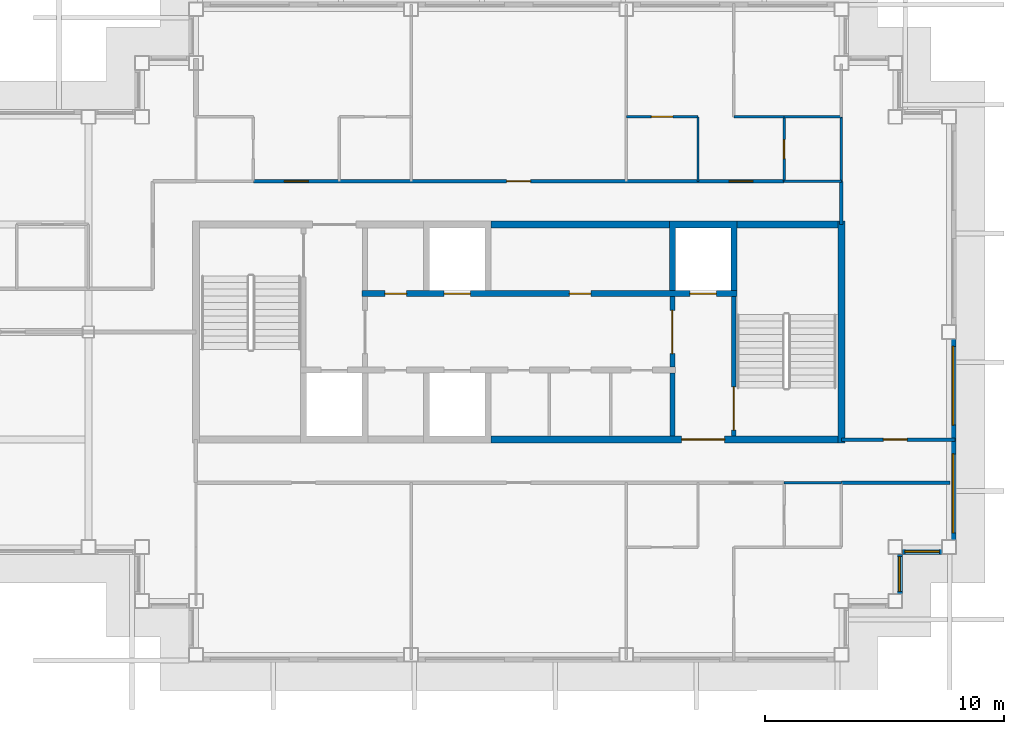
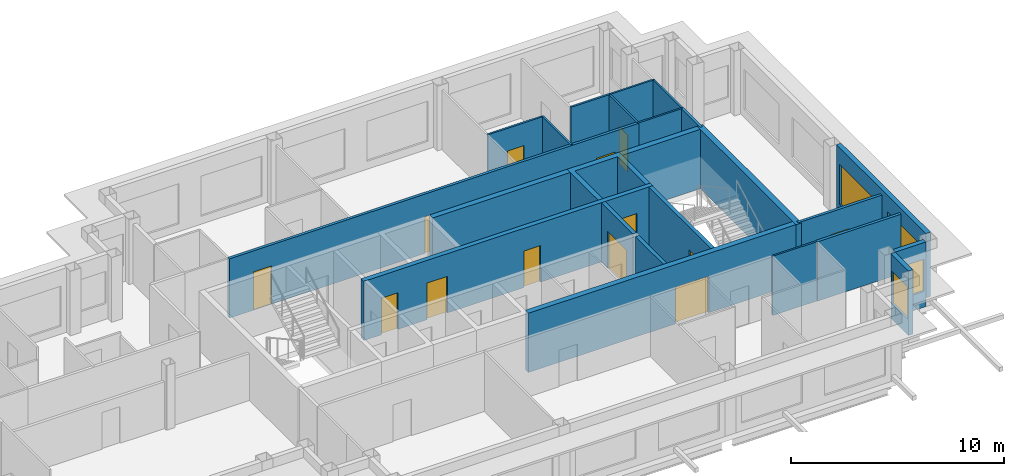
# One storey, part 5 of 11: 24 walls, 13 doors, 4 windows, 17 openings.
"""IFC4 building model written with IfcOpenShell, lengths in metres."""

from ifc_helpers import new_model, si_unit, direction, frame, frame_2d, origin, place, context, subcontext, project, spatial, polyline, rectangle, outline, extrude, material, layer, layer_set, type_object, element, fill, save


model = new_model("IFC4")

# Units and contexts
model_context = context("Model", 3, precision=1e-05, world=origin(), true_north=direction((0.0, 1.0)))
body_context = subcontext(model_context, "Body", "Model", "MODEL_VIEW")
ifc_project = project(units=[si_unit("LENGTHUNIT", "METRE"), si_unit("AREAUNIT", "SQUARE_METRE"), si_unit("VOLUMEUNIT", "CUBIC_METRE"), si_unit("PLANEANGLEUNIT", "RADIAN"), si_unit("MASSUNIT", "GRAM", prefix="KILO")], contexts=[model_context])

# Site, building, storey
site_placement = place(None, origin())
site = spatial("IfcSite", under=ifc_project, at=site_placement, CompositionType="ELEMENT")
building_placement = place(site_placement, origin())
building = spatial("IfcBuilding", under=site, at=building_placement, Name="Caravel Reach Hotel and Residences", CompositionType="ELEMENT")
storey_placement = place(building_placement, frame((0.0, 0.0, 263.800048828125)))
storey = spatial("IfcBuildingStorey", under=building, at=storey_placement, Name="L67", CompositionType="ELEMENT", Elevation=263.800048828125)

# Walls
ifc_material_1 = material(Name="Gypsum board on steel stud", Category="steel")
ifc_layer_1 = layer(ifc_material_1, 0.10009765625)
ifc_layer_set_1 = layer_set([ifc_layer_1], Name="Bathroom pod wall 100 mm")
wall_type_1 = type_object("IfcWallType", Name="Bathroom pod wall 100 mm", PredefinedType="PARTITIONING", material=ifc_layer_set_1)
for number, where, z_axis, x_axis, name in (
    (1, (42.60009765625, 20.699951171875, 0.0), (0.0, 0.0, 1.0), (1.0, 0.0, 0.0), "L67 wall w051"),
    (2, (42.60009765625, 33.300048828125, 0.0), (0.0, 0.0, 1.0), (1.0, 0.0, 0.0), "L67 wall w055"),
    (3, (42.60009765625, 36.0, 0.0), (0.0, 0.0, 1.0), (1.0, 0.0, 0.0), "L67 wall w057"),
):
    element("IfcWall", number, at=place(storey_placement, frame(where, z_axis=z_axis, x_axis=x_axis)), inside=storey, type_object=wall_type_1, Name=name, PredefinedType="PARTITIONING", context=body_context, shape_type="SweptSolid", body=[
        extrude(rectangle(XDim=2.39990234375, YDim=0.10009765625, at=frame_2d((1.199951171875, 0.0))), origin(), (0.0, 0.0, 1.0), 3.39990234375),
    ])

# Wall, opening, door
wall_1_placement = place(storey_placement, frame((42.60009765625, 33.300048828125, 0.0), z_axis=(0.0, 0.0, 1.0), x_axis=(0.0, 1.0, 0.0)))
wall_1 = element("IfcWall", 4, at=wall_1_placement, inside=storey, type_object=wall_type_1, Name="L67 wall w061", PredefinedType="PARTITIONING", context=body_context, shape_type="SweptSolid", body=[
    extrude(rectangle(XDim=2.699951171875, YDim=0.10009765625, at=frame_2d((1.35009765625, 0.0))), origin(), (0.0, 0.0, 1.0), 3.39990234375),
])
opening_1_placement = place(wall_1_placement, frame((0.949951171875, 0.0, 0.0)))
opening_1 = element("IfcOpeningElement", 5, at=opening_1_placement, cuts=wall_1, Name="Opening D67-023", PredefinedType="OPENING", context=body_context, shape_type="SweptSolid", body=[
    extrude(rectangle(XDim=0.800048828125, YDim=2.10009765625, at=frame_2d((0.39990234375, 1.050048828125))), frame((0.0, 0.06005859375, 0.0), z_axis=(0.0, -1.0, 0.0), x_axis=(1.0, 0.0, 0.0)), (0.0, 0.0, 1.0), 0.1201171875),
])
ifc_material_2 = material(Name="Timber and steel door leaf", Category="steel")
door_type_1 = type_object("IfcDoorType", Name="Bathroom door 800 x 2100", OperationType="SINGLE_SWING_LEFT", PredefinedType="DOOR", material=ifc_material_2)
door_1_placement = place(opening_1_placement, origin())
door_1 = element("IfcDoor", 6, at=door_1_placement, inside=storey, type_object=door_type_1, Name="door D67-023", OperationType="SINGLE_SWING_LEFT", OverallHeight=2.10009765625, OverallWidth=0.800048828125, PredefinedType="DOOR", context=body_context, shape_type="SweptSolid", body=[
    extrude(rectangle(XDim=0.800048828125, YDim=2.10009765625, at=frame_2d((0.39990234375, 1.050048828125))), frame((0.0, 0.02490234375, 0.0), z_axis=(0.0, -1.0, 0.0), x_axis=(1.0, 0.0, 0.0)), (0.0, 0.0, 1.0), 0.050048828125),
])
fill(opening_1, door_1)

# Walls
wall_2_placement = place(storey_placement, frame((45.0, 33.300048828125, 0.0), z_axis=(0.0, 0.0, 1.0), x_axis=(0.0, 1.0, 0.0)))
element("IfcWall", 7, at=wall_2_placement, inside=storey, type_object=wall_type_1, Name="L67 wall w063", PredefinedType="PARTITIONING", context=body_context, shape_type="SweptSolid", body=[
    extrude(rectangle(XDim=2.699951171875, YDim=0.10009765625, at=frame_2d((1.35009765625, 0.0))), origin(), (0.0, 0.0, 1.0), 3.39990234375),
])
ifc_material_3 = material(Name="Autoclaved aerated block wall")
ifc_layer_2 = layer(ifc_material_3, 0.199951171875)
ifc_layer_set_2 = layer_set([ifc_layer_2], Name="Compartment wall 200 mm EI 120")
wall_type_2 = type_object("IfcWallType", Name="Compartment wall 200 mm EI 120", PredefinedType="PARTITIONING", material=ifc_layer_set_2)
wall_3_placement = place(storey_placement, frame((37.928466796875, 22.64990234375, 0.0), z_axis=(0.0, 0.0, 1.0), x_axis=(0.0, 1.0, 0.0)))
element("IfcWall", 8, at=wall_3_placement, inside=storey, type_object=wall_type_2, Name="L67 store partition", PredefinedType="PARTITIONING", context=body_context, shape_type="SweptSolid", body=[
    extrude(rectangle(XDim=2.625, YDim=0.199951171875, at=frame_2d((1.3125, 0.0))), origin(), (0.0, 0.0, 1.0), 3.39990234375),
])

# Wall, opening, door
ifc_material_4 = material(Name="Concrete C60", Category="concrete")
ifc_layer_3 = layer(ifc_material_4, 0.300048828125)
ifc_layer_set_3 = layer_set([ifc_layer_3], Name="Core wall 300 mm EI 120")
wall_type_3 = type_object("IfcWallType", Name="Core wall 300 mm EI 120", PredefinedType="SHEAR", material=ifc_layer_set_3)
wall_4_placement = place(storey_placement, frame((30.33935546875, 22.5, 0.0), z_axis=(0.0, 0.0, 1.0), x_axis=(1.0, 0.0, 0.0)))
wall_4 = element("IfcWall", 9, at=wall_4_placement, inside=storey, type_object=wall_type_3, Name="L67 core wall S3", PredefinedType="SHEAR", context=body_context, shape_type="SweptSolid", body=[
    extrude(rectangle(XDim=14.5107421875, YDim=0.300048828125, at=frame_2d((7.25537109375, 0.0))), origin(), (0.0, 0.0, 1.0), 3.39990234375),
])
opening_2_placement = place(wall_4_placement, frame((7.97509765625, 0.0, 0.0)))
opening_2 = element("IfcOpeningElement", 10, at=opening_2_placement, cuts=wall_4, Name="Opening D67-016", PredefinedType="OPENING", context=body_context, shape_type="SweptSolid", body=[
    extrude(rectangle(XDim=1.800048828125, YDim=2.10009765625, at=frame_2d((0.89990234375, 1.050048828125))), frame((0.0, 0.159912109375, 0.0), z_axis=(0.0, -1.0, 0.0), x_axis=(1.0, 0.0, 0.0)), (0.0, 0.0, 1.0), 0.320068359375),
])
ifc_material_5 = material(Name="Steel fire door leaf", Category="steel")
door_type_2 = type_object("IfcDoorType", Name="Fire lobby door pair 1800 x 2100 EI 90", OperationType="DOUBLE_DOOR_SINGLE_SWING", PredefinedType="DOOR", material=ifc_material_5)
door_2_placement = place(opening_2_placement, origin())
door_2 = element("IfcDoor", 11, at=door_2_placement, inside=storey, type_object=door_type_2, Name="lobby S door pair to corridor", OperationType="DOUBLE_DOOR_SINGLE_SWING", OverallHeight=2.10009765625, OverallWidth=1.800048828125, PredefinedType="DOOR", context=body_context, shape_type="SweptSolid", body=[
    extrude(rectangle(XDim=1.800048828125, YDim=2.10009765625, at=frame_2d((0.89990234375, 1.050048828125))), frame((0.0, 0.02490234375, 0.0), z_axis=(0.0, -1.0, 0.0), x_axis=(1.0, 0.0, 0.0)), (0.0, 0.0, 1.0), 0.050048828125),
])
fill(opening_2, door_2)

# Walls
wall_5_placement = place(storey_placement, frame((30.33935546875, 31.5, 0.0), z_axis=(0.0, 0.0, 1.0), x_axis=(1.0, 0.0, 0.0)))
element("IfcWall", 12, at=wall_5_placement, inside=storey, type_object=wall_type_3, Name="L67 core wall N2", PredefinedType="SHEAR", context=body_context, shape_type="SweptSolid", body=[
    extrude(rectangle(XDim=7.464111328125, YDim=0.300048828125, at=frame_2d((3.73193359375, 0.0))), origin(), (0.0, 0.0, 1.0), 3.39990234375),
])
wall_6_placement = place(storey_placement, frame((40.625, 31.5, 0.0), z_axis=(0.0, 0.0, 1.0), x_axis=(1.0, 0.0, 0.0)))
element("IfcWall", 13, at=wall_6_placement, inside=storey, type_object=wall_type_3, Name="L67 core wall N3", PredefinedType="SHEAR", context=body_context, shape_type="SweptSolid", body=[
    extrude(rectangle(XDim=4.22509765625, YDim=0.300048828125, at=frame_2d((2.112548828125, 0.0))), origin(), (0.0, 0.0, 1.0), 3.39990234375),
])
wall_7_placement = place(storey_placement, frame((45.0, 22.35009765625, 0.0), z_axis=(0.0, 0.0, 1.0), x_axis=(0.0, 1.0, 0.0)))
element("IfcWall", 14, at=wall_7_placement, inside=storey, type_object=wall_type_3, Name="L67 core wall E", PredefinedType="SHEAR", context=body_context, shape_type="SweptSolid", body=[
    extrude(rectangle(XDim=9.2998046875, YDim=0.300048828125, at=frame_2d((4.64990234375, 0.0))), origin(), (0.0, 0.0, 1.0), 3.39990234375),
])
ifc_material_6 = material(Name="Gypsum board on steel stud, fire-rated", Category="steel")
ifc_layer_4 = layer(ifc_material_6, 0.14990234375)
ifc_layer_set_4 = layer_set([ifc_layer_4], Name="Corridor wall 150 mm EI 60")
wall_type_4 = type_object("IfcWallType", Name="Corridor wall 150 mm EI 60", PredefinedType="PARTITIONING", material=ifc_layer_set_4)
wall_8_placement = place(storey_placement, frame((45.0009765625, 20.699951171875, 0.0), z_axis=(0.0, 0.0, 1.0), x_axis=(1.0, 0.0, 0.0)))
element("IfcWall", 15, at=wall_8_placement, inside=storey, type_object=wall_type_4, Name="L67 wall w003", PredefinedType="PARTITIONING", context=body_context, shape_type="SweptSolid", body=[
    extrude(rectangle(XDim=4.549072265625, YDim=0.14990234375, at=frame_2d((2.2744140625, 0.0))), origin(), (0.0, 0.0, 1.0), 3.39990234375),
])

# Wall, opening, door
wall_9_placement = place(storey_placement, frame((45.0, 22.5, 0.0), z_axis=(0.0, 0.0, 1.0), x_axis=(1.0, 0.0, 0.0)))
wall_9 = element("IfcWall", 16, at=wall_9_placement, inside=storey, type_object=wall_type_4, Name="L67 wall w006", PredefinedType="PARTITIONING", context=body_context, shape_type="SweptSolid", body=[
    extrude(rectangle(XDim=4.739990234375, YDim=0.14990234375, at=frame_2d((2.3701171875, 0.0))), origin(), (0.0, 0.0, 1.0), 3.39990234375),
])
opening_3_placement = place(wall_9_placement, frame((1.75, 0.0, 0.0)))
opening_3 = element("IfcOpeningElement", 17, at=opening_3_placement, cuts=wall_9, Name="Opening D67-037", PredefinedType="OPENING", context=body_context, shape_type="SweptSolid", body=[
    extrude(rectangle(XDim=1.0, YDim=2.10009765625, at=frame_2d((0.5, 1.050048828125))), frame((0.0, 0.0849609375, 0.0), z_axis=(0.0, -1.0, 0.0), x_axis=(1.0, 0.0, 0.0)), (0.0, 0.0, 1.0), 0.169921875),
])
ifc_material_7 = material(Name="Steel fire door leaf", Category="steel")
door_type_3 = type_object("IfcDoorType", Name="Fire door 1000 x 2100 EI 60", OperationType="SINGLE_SWING_LEFT", PredefinedType="DOOR", material=ifc_material_7)
door_3_placement = place(opening_3_placement, origin())
door_3 = element("IfcDoor", 18, at=door_3_placement, inside=storey, type_object=door_type_3, Name="door D67-037", OperationType="SINGLE_SWING_RIGHT", OverallHeight=2.10009765625, OverallWidth=1.0, PredefinedType="DOOR", context=body_context, shape_type="SweptSolid", body=[
    extrude(rectangle(XDim=1.0, YDim=2.10009765625, at=frame_2d((0.5, 1.050048828125))), frame((0.0, 0.02490234375, 0.0), z_axis=(0.0, -1.0, 0.0), x_axis=(1.0, 0.0, 0.0)), (0.0, 0.0, 1.0), 0.050048828125),
])
fill(opening_3, door_3)

# Wall, openings, doors
wall_10_placement = place(storey_placement, frame((20.39990234375, 33.300048828125, 0.0), z_axis=(0.0, 0.0, 1.0), x_axis=(1.0, 0.0, 0.0)))
wall_10 = element("IfcWall", 19, at=wall_10_placement, inside=storey, type_object=wall_type_4, Name="L67 wall w011", PredefinedType="PARTITIONING", context=body_context, shape_type="SweptSolid", body=[
    extrude(rectangle(XDim=22.2001953125, YDim=0.14990234375, at=frame_2d((11.10009765625, 0.0))), origin(), (0.0, 0.0, 1.0), 3.39990234375),
])
opening_4_placement = place(wall_10_placement, frame((1.300048828125, 0.0, 0.0)))
opening_4 = element("IfcOpeningElement", 20, at=opening_4_placement, cuts=wall_10, Name="Opening D67-017", PredefinedType="OPENING", context=body_context, shape_type="SweptSolid", body=[
    extrude(rectangle(XDim=1.0, YDim=2.199951171875, at=frame_2d((0.5, 1.10009765625))), frame((0.0, 0.0849609375, 0.0), z_axis=(0.0, -1.0, 0.0), x_axis=(1.0, 0.0, 0.0)), (0.0, 0.0, 1.0), 0.169921875),
])
opening_5_placement = place(wall_10_placement, frame((10.60009765625, 0.0, 0.0)))
opening_5 = element("IfcOpeningElement", 21, at=opening_5_placement, cuts=wall_10, Name="Opening D67-020", PredefinedType="OPENING", context=body_context, shape_type="SweptSolid", body=[
    extrude(rectangle(XDim=1.0, YDim=2.10009765625, at=frame_2d((0.5, 1.050048828125))), frame((0.0, 0.0849609375, 0.0), z_axis=(0.0, -1.0, 0.0), x_axis=(1.0, 0.0, 0.0)), (0.0, 0.0, 1.0), 0.169921875),
])
opening_6_placement = place(wall_10_placement, frame((19.900146484375, 0.0, 0.0)))
opening_6 = element("IfcOpeningElement", 22, at=opening_6_placement, cuts=wall_10, Name="Opening D67-021", PredefinedType="OPENING", context=body_context, shape_type="SweptSolid", body=[
    extrude(rectangle(XDim=1.0, YDim=2.199951171875, at=frame_2d((0.5, 1.10009765625))), frame((0.0, 0.0849609375, 0.0), z_axis=(0.0, -1.0, 0.0), x_axis=(1.0, 0.0, 0.0)), (0.0, 0.0, 1.0), 0.169921875),
])
door_4_placement = place(opening_5_placement, origin())
door_4 = element("IfcDoor", 23, at=door_4_placement, inside=storey, type_object=door_type_3, Name="door D67-020", OperationType="SINGLE_SWING_LEFT", OverallHeight=2.10009765625, OverallWidth=1.0, PredefinedType="DOOR", context=body_context, shape_type="SweptSolid", body=[
    extrude(rectangle(XDim=1.0, YDim=2.10009765625, at=frame_2d((0.5, 1.050048828125))), frame((0.0, 0.02490234375, 0.0), z_axis=(0.0, -1.0, 0.0), x_axis=(1.0, 0.0, 0.0)), (0.0, 0.0, 1.0), 0.050048828125),
])
fill(opening_5, door_4)
ifc_material_8 = material(Name="Steel fire door leaf", Category="steel")
door_type_4 = type_object("IfcDoorType", Name="Flat entrance door 1000 x 2200 EI 60", OperationType="SINGLE_SWING_LEFT", PredefinedType="DOOR", material=ifc_material_8)
door_5_placement = place(opening_4_placement, origin())
door_5 = element("IfcDoor", 24, at=door_5_placement, inside=storey, type_object=door_type_4, Name="door D67-017", OperationType="SINGLE_SWING_LEFT", OverallHeight=2.199951171875, OverallWidth=1.0, PredefinedType="DOOR", context=body_context, shape_type="SweptSolid", body=[
    extrude(rectangle(XDim=1.0, YDim=2.199951171875, at=frame_2d((0.5, 1.10009765625))), frame((0.0, 0.02490234375, 0.0), z_axis=(0.0, -1.0, 0.0), x_axis=(1.0, 0.0, 0.0)), (0.0, 0.0, 1.0), 0.050048828125),
])
fill(opening_4, door_5)
door_6_placement = place(opening_6_placement, origin())
door_6 = element("IfcDoor", 25, at=door_6_placement, inside=storey, type_object=door_type_4, Name="door D67-021", OperationType="SINGLE_SWING_RIGHT", OverallHeight=2.199951171875, OverallWidth=1.0, PredefinedType="DOOR", context=body_context, shape_type="SweptSolid", body=[
    extrude(rectangle(XDim=1.0, YDim=2.199951171875, at=frame_2d((0.5, 1.10009765625))), frame((0.0, 0.02490234375, 0.0), z_axis=(0.0, -1.0, 0.0), x_axis=(1.0, 0.0, 0.0)), (0.0, 0.0, 1.0), 0.050048828125),
])
fill(opening_6, door_6)

# Wall
wall_11_placement = place(storey_placement, frame((45.0, 31.5, 0.0), z_axis=(0.0, 0.0, 1.0), x_axis=(0.0, 1.0, 0.0)))
element("IfcWall", 26, at=wall_11_placement, inside=storey, type_object=wall_type_4, Name="L67 wall w020", PredefinedType="PARTITIONING", context=body_context, shape_type="SweptSolid", body=[
    extrude(rectangle(XDim=1.800048828125, YDim=0.14990234375, at=frame_2d((0.89990234375, 0.0))), origin(), (0.0, 0.0, 1.0), 3.39990234375),
])

# Wall, opening, window
ifc_material_9 = material(Name="Insulated rainscreen wall, aluminium cladding", Category="aluminium")
ifc_layer_5 = layer(ifc_material_9, 0.25)
ifc_layer_set_5 = layer_set([ifc_layer_5], Name="EW1 Tower rainscreen wall")
wall_type_5 = type_object("IfcWallType", Name="EW1 Tower rainscreen wall", PredefinedType="SOLIDWALL", material=ifc_layer_set_5)
wall_12_placement = place(storey_placement, frame((47.425048828125, 16.050048828125, 0.0), z_axis=(0.0, 0.0, 1.0), x_axis=(0.0, 1.0, 0.0)))
wall_12 = element("IfcWall", 27, at=wall_12_placement, inside=storey, type_object=wall_type_5, Name="External wall L67 E7.1", PredefinedType="SOLIDWALL", context=body_context, shape_type="SweptSolid", body=[
    extrude(rectangle(XDim=1.64990234375, YDim=0.25, at=frame_2d((0.824951171875, 0.0))), origin(), (0.0, 0.0, 1.0), 3.699951171875),
])
opening_7_placement = place(wall_12_placement, frame((0.10009765625, 0.0, 0.89990234375)))
opening_7 = element("IfcOpeningElement", 28, at=opening_7_placement, cuts=wall_12, Name="Opening WN25", PredefinedType="OPENING", context=body_context, shape_type="SweptSolid", body=[
    extrude(rectangle(XDim=1.449951171875, YDim=1.85009765625, at=frame_2d((0.72509765625, 0.925048828125))), frame((0.0, 0.135009765625, 0.0), z_axis=(0.0, -1.0, 0.0), x_axis=(1.0, 0.0, 0.0)), (0.0, 0.0, 1.0), 0.27001953125),
])
ifc_material_10 = material(Name="Dark low-e glazing in black aluminium frame", Category="aluminium")
window_type_1 = type_object("IfcWindowType", Name="Residence bedroom window 1450 x 1850", PartitioningType="SINGLE_PANEL", PredefinedType="WINDOW", material=ifc_material_10)
window_1_placement = place(opening_7_placement, origin())
window_1 = element("IfcWindow", 29, at=window_1_placement, inside=storey, type_object=window_type_1, Name="Window L67 E7.1.1", OverallHeight=1.85009765625, OverallWidth=1.449951171875, PartitioningType="SINGLE_PANEL", PredefinedType="WINDOW", context=body_context, shape_type="SweptSolid", body=[
    extrude(rectangle(XDim=1.449951171875, YDim=1.85009765625, at=frame_2d((0.72509765625, 0.925048828125))), frame((0.0, 0.030029296875, 0.0), z_axis=(0.0, -1.0, 0.0), x_axis=(1.0, 0.0, 0.0)), (0.0, 0.0, 1.0), 0.06005859375),
])
fill(opening_7, window_1)

wall_13_placement = place(storey_placement, frame((47.550048828125, 17.824951171875, 0.0), z_axis=(0.0, 0.0, 1.0), x_axis=(1.0, 0.0, 0.0)))
wall_13 = element("IfcWall", 30, at=wall_13_placement, inside=storey, type_object=wall_type_5, Name="External wall L67 S8.1", PredefinedType="SOLIDWALL", context=body_context, shape_type="SweptSolid", body=[
    extrude(rectangle(XDim=1.64990234375, YDim=0.25, at=frame_2d((0.824951171875, 0.0))), origin(), (0.0, 0.0, 1.0), 3.699951171875),
])
opening_8_placement = place(wall_13_placement, frame((0.10009765625, 0.0, 0.89990234375)))
opening_8 = element("IfcOpeningElement", 31, at=opening_8_placement, cuts=wall_13, Name="Opening WN25", PredefinedType="OPENING", context=body_context, shape_type="SweptSolid", body=[
    extrude(rectangle(XDim=1.449951171875, YDim=1.85009765625, at=frame_2d((0.72509765625, 0.925048828125))), frame((0.0, 0.135009765625, 0.0), z_axis=(0.0, -1.0, 0.0), x_axis=(1.0, 0.0, 0.0)), (0.0, 0.0, 1.0), 0.27001953125),
])
window_2_placement = place(opening_8_placement, origin())
window_2 = element("IfcWindow", 32, at=window_2_placement, inside=storey, type_object=window_type_1, Name="Window L67 S8.1.1", OverallHeight=1.85009765625, OverallWidth=1.449951171875, PartitioningType="SINGLE_PANEL", PredefinedType="WINDOW", context=body_context, shape_type="SweptSolid", body=[
    extrude(rectangle(XDim=1.449951171875, YDim=1.85009765625, at=frame_2d((0.72509765625, 0.925048828125))), frame((0.0, 0.030029296875, 0.0), z_axis=(0.0, -1.0, 0.0), x_axis=(1.0, 0.0, 0.0)), (0.0, 0.0, 1.0), 0.06005859375),
])
fill(opening_8, window_2)

# Wall, openings, windows
wall_14_placement = place(storey_placement, frame((49.675048828125, 18.300048828125, 0.0), z_axis=(0.0, 0.0, 1.0), x_axis=(0.0, 1.0, 0.0)))
wall_14 = element("IfcWall", 33, at=wall_14_placement, inside=storey, type_object=wall_type_5, Name="External wall L67 E9.1", PredefinedType="SOLIDWALL", context=body_context, shape_type="SweptSolid", body=[
    extrude(rectangle(XDim=8.39990234375, YDim=0.25, at=frame_2d((4.199951171875, 0.0))), origin(), (0.0, 0.0, 1.0), 3.699951171875),
])
opening_9_placement = place(wall_14_placement, frame((0.300048828125, 0.0, 0.449951171875)))
opening_9 = element("IfcOpeningElement", 34, at=opening_9_placement, cuts=wall_14, Name="Opening WN15", PredefinedType="OPENING", context=body_context, shape_type="SweptSolid", body=[
    extrude(rectangle(XDim=3.300048828125, YDim=2.300048828125, at=frame_2d((1.64990234375, 1.14990234375))), frame((0.0, 0.135009765625, 0.0), z_axis=(0.0, -1.0, 0.0), x_axis=(1.0, 0.0, 0.0)), (0.0, 0.0, 1.0), 0.27001953125),
])
opening_10_placement = place(wall_14_placement, frame((4.800048828125, 0.0, 0.449951171875)))
opening_10 = element("IfcOpeningElement", 35, at=opening_10_placement, cuts=wall_14, Name="Opening WN15", PredefinedType="OPENING", context=body_context, shape_type="SweptSolid", body=[
    extrude(rectangle(XDim=3.300048828125, YDim=2.300048828125, at=frame_2d((1.64990234375, 1.14990234375))), frame((0.0, 0.135009765625, 0.0), z_axis=(0.0, -1.0, 0.0), x_axis=(1.0, 0.0, 0.0)), (0.0, 0.0, 1.0), 0.27001953125),
])
ifc_material_11 = material(Name="Dark low-e glazing in black aluminium frame", Category="aluminium")
window_type_2 = type_object("IfcWindowType", Name="Residence living window 3300 x 2300", PartitioningType="SINGLE_PANEL", PredefinedType="WINDOW", material=ifc_material_11)
window_3_placement = place(opening_9_placement, origin())
window_3 = element("IfcWindow", 36, at=window_3_placement, inside=storey, type_object=window_type_2, Name="Window L67 E9.1.1", OverallHeight=2.300048828125, OverallWidth=3.300048828125, PartitioningType="SINGLE_PANEL", PredefinedType="WINDOW", context=body_context, shape_type="SweptSolid", body=[
    extrude(rectangle(XDim=3.300048828125, YDim=2.300048828125, at=frame_2d((1.64990234375, 1.14990234375))), frame((0.0, 0.030029296875, 0.0), z_axis=(0.0, -1.0, 0.0), x_axis=(1.0, 0.0, 0.0)), (0.0, 0.0, 1.0), 0.06005859375),
])
fill(opening_9, window_3)
window_4_placement = place(opening_10_placement, origin())
window_4 = element("IfcWindow", 37, at=window_4_placement, inside=storey, type_object=window_type_2, Name="Window L67 E9.1.2", OverallHeight=2.300048828125, OverallWidth=3.300048828125, PartitioningType="SINGLE_PANEL", PredefinedType="WINDOW", context=body_context, shape_type="SweptSolid", body=[
    extrude(rectangle(XDim=3.300048828125, YDim=2.300048828125, at=frame_2d((1.64990234375, 1.14990234375))), frame((0.0, 0.030029296875, 0.0), z_axis=(0.0, -1.0, 0.0), x_axis=(1.0, 0.0, 0.0)), (0.0, 0.0, 1.0), 0.06005859375),
])
fill(opening_10, window_4)

# Wall, opening, door
ifc_material_12 = material(Name="Autoclaved aerated block wall")
ifc_layer_6 = layer(ifc_material_12, 0.199951171875)
ifc_layer_set_6 = layer_set([ifc_layer_6], Name="Fire lobby wall 200 mm EI 120")
wall_type_6 = type_object("IfcWallType", Name="Fire lobby wall 200 mm EI 120", PredefinedType="PARTITIONING", material=ifc_layer_set_6)
wall_15_placement = place(storey_placement, frame((37.928466796875, 25.52490234375, 0.0), z_axis=(0.0, 0.0, 1.0), x_axis=(0.0, 1.0, 0.0)))
wall_15 = element("IfcWall", 38, at=wall_15_placement, inside=storey, type_object=wall_type_6, Name="L67 lobby E wall", PredefinedType="PARTITIONING", context=body_context, shape_type="SweptSolid", body=[
    extrude(rectangle(XDim=2.9501953125, YDim=0.199951171875, at=frame_2d((1.47509765625, 0.0))), origin(), (0.0, 0.0, 1.0), 3.39990234375),
])
opening_11_placement = place(wall_15_placement, frame((0.574951171875, 0.0, 0.0)))
opening_11 = element("IfcOpeningElement", 39, at=opening_11_placement, cuts=wall_15, Name="Opening D67-014", PredefinedType="OPENING", context=body_context, shape_type="SweptSolid", body=[
    extrude(rectangle(XDim=1.800048828125, YDim=2.10009765625, at=frame_2d((0.89990234375, 1.050048828125))), frame((0.0, 0.10986328125, 0.0), z_axis=(0.0, -1.0, 0.0), x_axis=(1.0, 0.0, 0.0)), (0.0, 0.0, 1.0), 0.219970703125),
])
door_7_placement = place(opening_11_placement, origin())
door_7 = element("IfcDoor", 40, at=door_7_placement, inside=storey, type_object=door_type_2, Name="lobby E door pair", OperationType="DOUBLE_DOOR_SINGLE_SWING", OverallHeight=2.10009765625, OverallWidth=1.800048828125, PredefinedType="DOOR", context=body_context, shape_type="SweptSolid", body=[
    extrude(rectangle(XDim=1.800048828125, YDim=2.10009765625, at=frame_2d((0.89990234375, 1.050048828125))), frame((0.0, 0.02490234375, 0.0), z_axis=(0.0, -1.0, 0.0), x_axis=(1.0, 0.0, 0.0)), (0.0, 0.0, 1.0), 0.050048828125),
])
fill(opening_11, door_7)

# Wall
ifc_material_13 = material(Name="Gypsum board on steel stud", Category="steel")
ifc_layer_7 = layer(ifc_material_13, 0.10009765625)
ifc_layer_set_7 = layer_set([ifc_layer_7], Name="Partition 100 mm")
wall_type_7 = type_object("IfcWallType", Name="Partition 100 mm", PredefinedType="PARTITIONING", material=ifc_layer_set_7)
wall_16_placement = place(storey_placement, frame((40.5, 36.0, 0.0), z_axis=(0.0, 0.0, 1.0), x_axis=(1.0, 0.0, 0.0)))
element("IfcWall", 41, at=wall_16_placement, inside=storey, type_object=wall_type_7, Name="L67 wall w027", PredefinedType="PARTITIONING", context=body_context, shape_type="SweptSolid", body=[
    extrude(rectangle(XDim=2.10009765625, YDim=0.10009765625, at=frame_2d((1.050048828125, 0.0))), origin(), (0.0, 0.0, 1.0), 3.39990234375),
])

# Wall, opening, door
wall_17_placement = place(storey_placement, frame((36.0, 36.0, 0.0), z_axis=(0.0, 0.0, 1.0), x_axis=(1.0, 0.0, 0.0)))
wall_17 = element("IfcWall", 42, at=wall_17_placement, inside=storey, type_object=wall_type_7, Name="L67 wall w028", PredefinedType="PARTITIONING", context=body_context, shape_type="SweptSolid", body=[
    extrude(rectangle(XDim=3.0, YDim=0.10009765625, at=frame_2d((1.5, 0.0))), origin(), (0.0, 0.0, 1.0), 3.39990234375),
])
opening_12_placement = place(wall_17_placement, frame((1.050048828125, 0.0, 0.0)))
opening_12 = element("IfcOpeningElement", 43, at=opening_12_placement, cuts=wall_17, Name="Opening D67-022", PredefinedType="OPENING", context=body_context, shape_type="SweptSolid", body=[
    extrude(rectangle(XDim=0.89990234375, YDim=2.10009765625, at=frame_2d((0.449951171875, 1.050048828125))), frame((0.0, 0.06005859375, 0.0), z_axis=(0.0, -1.0, 0.0), x_axis=(1.0, 0.0, 0.0)), (0.0, 0.0, 1.0), 0.1201171875),
])
ifc_material_14 = material(Name="Timber and steel door leaf", Category="steel")
door_type_5 = type_object("IfcDoorType", Name="Door 900 x 2100 timber", OperationType="SINGLE_SWING_LEFT", PredefinedType="DOOR", material=ifc_material_14)
door_8_placement = place(opening_12_placement, origin())
door_8 = element("IfcDoor", 44, at=door_8_placement, inside=storey, type_object=door_type_5, Name="door D67-022", OperationType="SINGLE_SWING_LEFT", OverallHeight=2.10009765625, OverallWidth=0.89990234375, PredefinedType="DOOR", context=body_context, shape_type="SweptSolid", body=[
    extrude(rectangle(XDim=0.89990234375, YDim=2.10009765625, at=frame_2d((0.449951171875, 1.050048828125))), frame((0.0, 0.02490234375, 0.0), z_axis=(0.0, -1.0, 0.0), x_axis=(1.0, 0.0, 0.0)), (0.0, 0.0, 1.0), 0.050048828125),
])
fill(opening_12, door_8)

# Walls
wall_18_placement = place(storey_placement, frame((39.0, 33.300048828125, 0.0), z_axis=(0.0, 0.0, 1.0), x_axis=(0.0, 1.0, 0.0)))
element("IfcWall", 45, at=wall_18_placement, inside=storey, type_object=wall_type_7, Name="L67 wall w041", PredefinedType="PARTITIONING", context=body_context, shape_type="SweptSolid", body=[
    extrude(rectangle(XDim=2.699951171875, YDim=0.10009765625, at=frame_2d((1.35009765625, 0.0))), origin(), (0.0, 0.0, 1.0), 3.39990234375),
])
ifc_material_15 = material(Name="Concrete C60", Category="concrete")
ifc_layer_8 = layer(ifc_material_15, 0.25)
ifc_layer_set_8 = layer_set([ifc_layer_8], Name="Shaft wall 250 mm EI 120")
wall_type_8 = type_object("IfcWallType", Name="Shaft wall 250 mm EI 120", PredefinedType="SHEAR", material=ifc_layer_set_8)
wall_19_placement = place(storey_placement, origin())
element("IfcWall", 46, at=wall_19_placement, inside=storey, type_object=wall_type_8, Name="L67 lift shaft wall N2", PredefinedType="SHEAR", context=body_context, shape_type="SweptSolid", body=[
    extrude(outline(polyline([(37.803466796875, 28.72509765625), (38.053466796875, 28.72509765625), (38.053466796875, 31.35009765625), (40.375, 31.35009765625), (40.375, 28.72509765625), (40.625, 28.72509765625), (40.625, 31.64990234375), (37.803466796875, 31.64990234375), (37.803466796875, 28.72509765625)])), origin(), (0.0, 0.0, 1.0), 3.39990234375),
])

# Wall, openings, doors
wall_20_placement = place(storey_placement, frame((24.946533203125, 28.60009765625, 0.0), z_axis=(0.0, 0.0, 1.0), x_axis=(1.0, 0.0, 0.0)))
wall_20 = element("IfcWall", 47, at=wall_20_placement, inside=storey, type_object=wall_type_8, Name="L67 lobby wall N1", PredefinedType="SHEAR", context=body_context, shape_type="SweptSolid", body=[
    extrude(rectangle(XDim=15.678466796875, YDim=0.25, at=frame_2d((7.83935546875, 0.0))), origin(), (0.0, 0.0, 1.0), 3.39990234375),
])
opening_13_placement = place(wall_20_placement, frame((3.43212890625, 0.0, 0.0)))
opening_13 = element("IfcOpeningElement", 48, at=opening_13_placement, cuts=wall_20, Name="Opening D67-002", PredefinedType="OPENING", context=body_context, shape_type="SweptSolid", body=[
    extrude(rectangle(XDim=1.10009765625, YDim=2.10009765625, at=frame_2d((0.550048828125, 1.050048828125))), frame((0.0, 0.135009765625, 0.0), z_axis=(0.0, -1.0, 0.0), x_axis=(1.0, 0.0, 0.0)), (0.0, 0.0, 1.0), 0.27001953125),
])
opening_14_placement = place(wall_20_placement, frame((13.718017578125, 0.0, 0.0)))
opening_14 = element("IfcOpeningElement", 49, at=opening_14_placement, cuts=wall_20, Name="Opening D67-004", PredefinedType="OPENING", context=body_context, shape_type="SweptSolid", body=[
    extrude(rectangle(XDim=1.10009765625, YDim=2.10009765625, at=frame_2d((0.550048828125, 1.050048828125))), frame((0.0, 0.135009765625, 0.0), z_axis=(0.0, -1.0, 0.0), x_axis=(1.0, 0.0, 0.0)), (0.0, 0.0, 1.0), 0.27001953125),
])
opening_15_placement = place(wall_20_placement, frame((0.960693359375, 0.0, 0.0)))
opening_15 = element("IfcOpeningElement", 50, at=opening_15_placement, cuts=wall_20, Name="Opening D67-009", PredefinedType="OPENING", context=body_context, shape_type="SweptSolid", body=[
    extrude(rectangle(XDim=0.89990234375, YDim=2.10009765625, at=frame_2d((0.449951171875, 1.050048828125))), frame((0.0, 0.135009765625, 0.0), z_axis=(0.0, -1.0, 0.0), x_axis=(1.0, 0.0, 0.0)), (0.0, 0.0, 1.0), 0.27001953125),
])
opening_16_placement = place(wall_20_placement, frame((8.675048828125, 0.0, 0.0)))
opening_16 = element("IfcOpeningElement", 51, at=opening_16_placement, cuts=wall_20, Name="Opening D67-010", PredefinedType="OPENING", context=body_context, shape_type="SweptSolid", body=[
    extrude(rectangle(XDim=0.89990234375, YDim=2.10009765625, at=frame_2d((0.449951171875, 1.050048828125))), frame((0.0, 0.135009765625, 0.0), z_axis=(0.0, -1.0, 0.0), x_axis=(1.0, 0.0, 0.0)), (0.0, 0.0, 1.0), 0.27001953125),
])
ifc_material_16 = material(Name="Stainless steel landing door", Category="steel")
door_type_6 = type_object("IfcDoorType", Name="Landing door LD 1100 x 2100 sliding", OperationType="DOUBLE_DOOR_SLIDING", PredefinedType="DOOR", material=ifc_material_16)
door_9_placement = place(opening_13_placement, origin())
door_9 = element("IfcDoor", 52, at=door_9_placement, inside=storey, type_object=door_type_6, Name="HP2 landing door", OperationType="DOUBLE_DOOR_SLIDING", OverallHeight=2.10009765625, OverallWidth=1.10009765625, PredefinedType="DOOR", context=body_context, shape_type="SweptSolid", body=[
    extrude(rectangle(XDim=1.10009765625, YDim=2.10009765625, at=frame_2d((0.550048828125, 1.050048828125))), frame((0.0, 0.02490234375, 0.0), z_axis=(0.0, -1.0, 0.0), x_axis=(1.0, 0.0, 0.0)), (0.0, 0.0, 1.0), 0.050048828125),
])
fill(opening_13, door_9)
door_10_placement = place(opening_14_placement, origin())
door_10 = element("IfcDoor", 53, at=door_10_placement, inside=storey, type_object=door_type_6, Name="FL2 landing door", OperationType="DOUBLE_DOOR_SLIDING", OverallHeight=2.10009765625, OverallWidth=1.10009765625, PredefinedType="DOOR", context=body_context, shape_type="SweptSolid", body=[
    extrude(rectangle(XDim=1.10009765625, YDim=2.10009765625, at=frame_2d((0.550048828125, 1.050048828125))), frame((0.0, 0.02490234375, 0.0), z_axis=(0.0, -1.0, 0.0), x_axis=(1.0, 0.0, 0.0)), (0.0, 0.0, 1.0), 0.050048828125),
])
fill(opening_14, door_10)
ifc_material_17 = material(Name="Steel fire door leaf", Category="steel")
door_type_7 = type_object("IfcDoorType", Name="Riser door 900 x 2100 EI 60", OperationType="SINGLE_SWING_LEFT", PredefinedType="DOOR", material=ifc_material_17)
door_11_placement = place(opening_15_placement, origin())
door_11 = element("IfcDoor", 54, at=door_11_placement, inside=storey, type_object=door_type_7, Name="Cleaners' room door", OperationType="SINGLE_SWING_LEFT", OverallHeight=2.10009765625, OverallWidth=0.89990234375, PredefinedType="DOOR", context=body_context, shape_type="SweptSolid", body=[
    extrude(rectangle(XDim=0.89990234375, YDim=2.10009765625, at=frame_2d((0.449951171875, 1.050048828125))), frame((0.0, 0.02490234375, 0.0), z_axis=(0.0, -1.0, 0.0), x_axis=(1.0, 0.0, 0.0)), (0.0, 0.0, 1.0), 0.050048828125),
])
fill(opening_15, door_11)
door_12_placement = place(opening_16_placement, origin())
door_12 = element("IfcDoor", 55, at=door_12_placement, inside=storey, type_object=door_type_7, Name="Electrical riser room door", OperationType="SINGLE_SWING_LEFT", OverallHeight=2.10009765625, OverallWidth=0.89990234375, PredefinedType="DOOR", context=body_context, shape_type="SweptSolid", body=[
    extrude(rectangle(XDim=0.89990234375, YDim=2.10009765625, at=frame_2d((0.449951171875, 1.050048828125))), frame((0.0, 0.02490234375, 0.0), z_axis=(0.0, -1.0, 0.0), x_axis=(1.0, 0.0, 0.0)), (0.0, 0.0, 1.0), 0.050048828125),
])
fill(opening_16, door_12)

# Wall, opening, door
ifc_material_18 = material(Name="Concrete C60", Category="concrete")
ifc_layer_9 = layer(ifc_material_18, 0.199951171875)
ifc_layer_set_9 = layer_set([ifc_layer_9], Name="Stair enclosure wall 200 mm EI 120")
wall_type_9 = type_object("IfcWallType", Name="Stair enclosure wall 200 mm EI 120", PredefinedType="SHEAR", material=ifc_layer_set_9)
wall_21_placement = place(storey_placement, frame((40.5, 22.64990234375, 0.0), z_axis=(0.0, 0.0, 1.0), x_axis=(0.0, 1.0, 0.0)))
wall_21 = element("IfcWall", 56, at=wall_21_placement, inside=storey, type_object=wall_type_9, Name="L67 stair B wall", PredefinedType="SHEAR", context=body_context, shape_type="SweptSolid", body=[
    extrude(rectangle(XDim=5.8251953125, YDim=0.199951171875, at=frame_2d((2.91259765625, 0.0))), origin(), (0.0, 0.0, 1.0), 3.39990234375),
])
opening_17_placement = place(wall_21_placement, frame((0.25, 0.0, 0.0)))
opening_17 = element("IfcOpeningElement", 57, at=opening_17_placement, cuts=wall_21, Name="Opening D67-012", PredefinedType="OPENING", context=body_context, shape_type="SweptSolid", body=[
    extrude(rectangle(XDim=1.800048828125, YDim=2.10009765625, at=frame_2d((0.89990234375, 1.050048828125))), frame((0.0, 0.10986328125, 0.0), z_axis=(0.0, -1.0, 0.0), x_axis=(1.0, 0.0, 0.0)), (0.0, 0.0, 1.0), 0.219970703125),
])
ifc_material_19 = material(Name="Steel fire door leaf", Category="steel")
door_type_8 = type_object("IfcDoorType", Name="Stair door pair 1800 x 2100 EI 90", OperationType="DOUBLE_DOOR_SINGLE_SWING", PredefinedType="DOOR", material=ifc_material_19)
door_13_placement = place(opening_17_placement, origin())
door_13 = element("IfcDoor", 58, at=door_13_placement, inside=storey, type_object=door_type_8, Name="stair B door pair", OperationType="DOUBLE_DOOR_SINGLE_SWING", OverallHeight=2.10009765625, OverallWidth=1.800048828125, PredefinedType="DOOR", context=body_context, shape_type="SweptSolid", body=[
    extrude(rectangle(XDim=1.800048828125, YDim=2.10009765625, at=frame_2d((0.89990234375, 1.050048828125))), frame((0.0, 0.02490234375, 0.0), z_axis=(0.0, -1.0, 0.0), x_axis=(1.0, 0.0, 0.0)), (0.0, 0.0, 1.0), 0.050048828125),
])
fill(opening_17, door_13)

save(model, "model.ifc")
